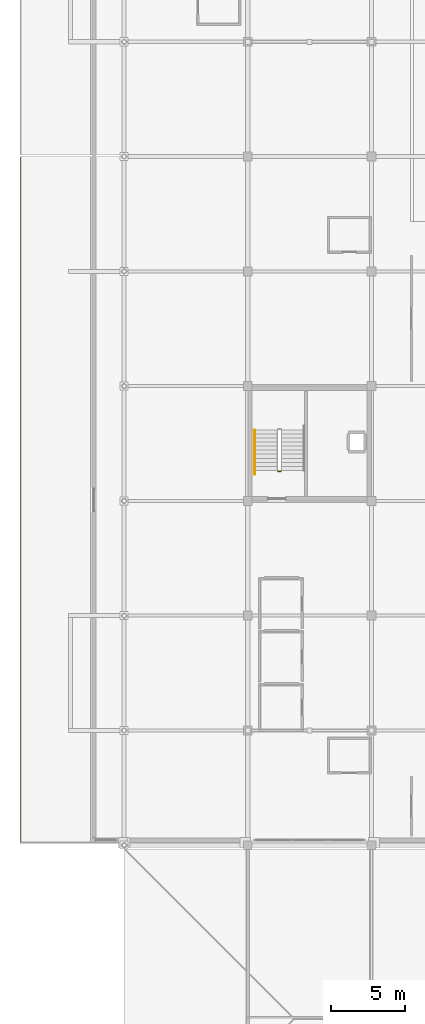
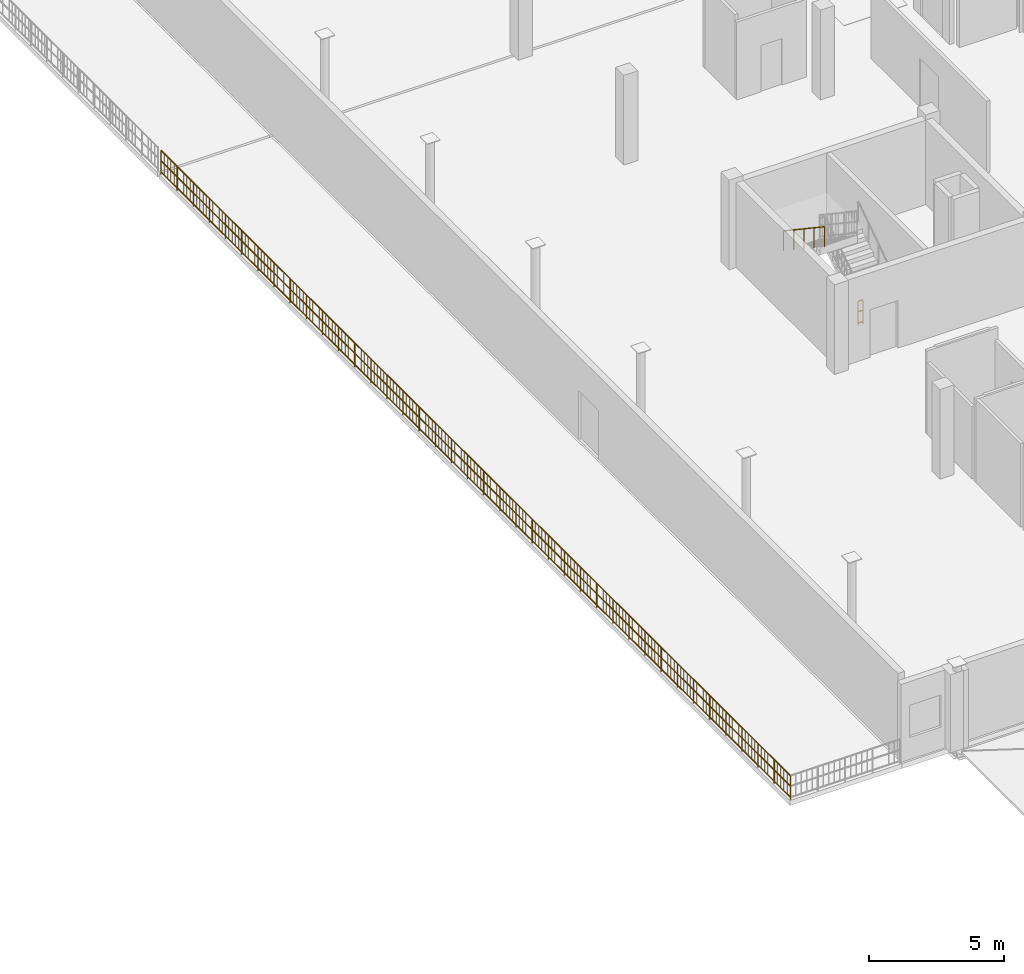
# One storey, part 20 of 25: 3 railings.
"""IFC4 building model written with IfcOpenShell, lengths in metres."""

from ifc_helpers import new_model, si_unit, direction, frame, origin, origin_2d, place, context, subcontext, project, spatial, circle, extrude, material, layer, layer_set, type_object, element, save


model = new_model("IFC4")

# Units and contexts
model_context = context("Model", 3, precision=1e-05, world=origin(), true_north=direction((0.0, 1.0)))
body_context = subcontext(model_context, "Body", "Model", "MODEL_VIEW")
ifc_project = project(units=[si_unit("LENGTHUNIT", "METRE"), si_unit("AREAUNIT", "SQUARE_METRE"), si_unit("VOLUMEUNIT", "CUBIC_METRE"), si_unit("PLANEANGLEUNIT", "RADIAN"), si_unit("MASSUNIT", "GRAM", prefix="KILO")], contexts=[model_context])

# Site, building, storey
site_placement = place(None, origin())
site = spatial("IfcSite", under=ifc_project, at=site_placement, CompositionType="ELEMENT")
building_placement = place(site_placement, origin())
building = spatial("IfcBuilding", under=site, at=building_placement, Name="Nabrawat Pavilion Hospital", CompositionType="ELEMENT")
storey_placement = place(building_placement, frame((0.0, 0.0, 22.949951171875)))
storey = spatial("IfcBuildingStorey", under=building, at=storey_placement, Name="L05", CompositionType="ELEMENT", Elevation=22.949951171875)

# Railings
ifc_material = material(Name="Stainless Steel 316", Category="steel")
ifc_layer_1 = layer(ifc_material, 0.070068359375, Name="Stainless Steel 316")
ifc_layer_set_1 = layer_set([ifc_layer_1], Name="Stainless Steel 316")
railing_type_1 = type_object("IfcRailingType", Name="Exterior Clinical Terrace Safety Guardrail 1100", PredefinedType="GUARDRAIL", material=ifc_layer_set_1)
railing_1_placement = place(storey_placement, frame((135.780029296875, 39.179931640625, 0.0)))
element("IfcRailing", 1, at=railing_1_placement, inside=storey, type_object=railing_type_1, Name="L05 Terrace Edge Safety Guardrail T_L05_WARD_WEST_S West", PredefinedType="GUARDRAIL", context=body_context, shape_type="SweptSolid", body=[
    extrude(circle(Radius=0.02392578125, at=origin_2d()), frame((0.0, 0.0, 1.076171875), z_axis=(0.0, 1.0, 0.0), x_axis=(-1.0, 0.0, 0.0)), (0.0, 0.0, 1.0), 46.56005859375),
    extrude(circle(Radius=0.02392578125, at=origin_2d()), frame((0.0, 0.0, 0.10009765625), z_axis=(0.0, 1.0, 0.0), x_axis=(-1.0, 0.0, 0.0)), (0.0, 0.0, 1.0), 46.56005859375),
    extrude(circle(Radius=0.02392578125, at=origin_2d()), frame((0.0, 0.0, 0.60498046875), z_axis=(0.0, 1.0, 0.0), x_axis=(-1.0, 0.0, 0.0)), (0.0, 0.0, 1.0), 46.56005859375),
    extrude(circle(Radius=0.008056640625, at=origin_2d()), frame((0.0, 0.23876953125, 0.10009765625)), (0.0, 0.0, 1.0), 0.951904296875),
    extrude(circle(Radius=0.008056640625, at=origin_2d()), frame((0.0, 0.4775390625, 0.10009765625)), (0.0, 0.0, 1.0), 0.951904296875),
    extrude(circle(Radius=0.008056640625, at=origin_2d()), frame((0.0, 0.71630859375, 0.10009765625)), (0.0, 0.0, 1.0), 0.951904296875),
    extrude(circle(Radius=0.008056640625, at=origin_2d()), frame((0.0, 0.955078125, 0.10009765625)), (0.0, 0.0, 1.0), 0.951904296875),
    extrude(circle(Radius=0.008056640625, at=origin_2d()), frame((0.0, 1.4326171875, 0.10009765625)), (0.0, 0.0, 1.0), 0.951904296875),
    extrude(circle(Radius=0.008056640625, at=origin_2d()), frame((0.0, 1.67138671875, 0.10009765625)), (0.0, 0.0, 1.0), 0.951904296875),
    extrude(circle(Radius=0.008056640625, at=origin_2d()), frame((0.0, 1.91015625, 0.10009765625)), (0.0, 0.0, 1.0), 0.951904296875),
    extrude(circle(Radius=0.008056640625, at=origin_2d()), frame((0.0, 2.14892578125, 0.10009765625)), (0.0, 0.0, 1.0), 0.951904296875),
    extrude(circle(Radius=0.008056640625, at=origin_2d()), frame((0.0, 2.62646484375, 0.10009765625)), (0.0, 0.0, 1.0), 0.951904296875),
    extrude(circle(Radius=0.008056640625, at=origin_2d()), frame((0.0, 2.865234375, 0.10009765625)), (0.0, 0.0, 1.0), 0.951904296875),
    extrude(circle(Radius=0.008056640625, at=origin_2d()), frame((0.0, 3.10400390625, 0.10009765625)), (0.0, 0.0, 1.0), 0.951904296875),
    extrude(circle(Radius=0.008056640625, at=origin_2d()), frame((0.0, 3.3427734375, 0.10009765625)), (0.0, 0.0, 1.0), 0.951904296875),
    extrude(circle(Radius=0.008056640625, at=origin_2d()), frame((0.0, 3.8203125, 0.10009765625)), (0.0, 0.0, 1.0), 0.951904296875),
    extrude(circle(Radius=0.008056640625, at=origin_2d()), frame((0.0, 4.05908203125, 0.10009765625)), (0.0, 0.0, 1.0), 0.951904296875),
    extrude(circle(Radius=0.008056640625, at=origin_2d()), frame((0.0, 4.2978515625, 0.10009765625)), (0.0, 0.0, 1.0), 0.951904296875),
    extrude(circle(Radius=0.008056640625, at=origin_2d()), frame((0.0, 4.53662109375, 0.10009765625)), (0.0, 0.0, 1.0), 0.951904296875),
    extrude(circle(Radius=0.008056640625, at=origin_2d()), frame((0.0, 5.01416015625, 0.10009765625)), (0.0, 0.0, 1.0), 0.951904296875),
    extrude(circle(Radius=0.008056640625, at=origin_2d()), frame((0.0, 5.2529296875, 0.10009765625)), (0.0, 0.0, 1.0), 0.951904296875),
    extrude(circle(Radius=0.008056640625, at=origin_2d()), frame((0.0, 5.49169921875, 0.10009765625)), (0.0, 0.0, 1.0), 0.951904296875),
    extrude(circle(Radius=0.008056640625, at=origin_2d()), frame((0.0, 5.73046875, 0.10009765625)), (0.0, 0.0, 1.0), 0.951904296875),
    extrude(circle(Radius=0.008056640625, at=origin_2d()), frame((0.0, 6.2080078125, 0.10009765625)), (0.0, 0.0, 1.0), 0.951904296875),
    extrude(circle(Radius=0.008056640625, at=origin_2d()), frame((0.0, 6.44677734375, 0.10009765625)), (0.0, 0.0, 1.0), 0.951904296875),
    extrude(circle(Radius=0.008056640625, at=origin_2d()), frame((0.0, 6.685546875, 0.10009765625)), (0.0, 0.0, 1.0), 0.951904296875),
    extrude(circle(Radius=0.008056640625, at=origin_2d()), frame((0.0, 6.92431640625, 0.10009765625)), (0.0, 0.0, 1.0), 0.951904296875),
    extrude(circle(Radius=0.008056640625, at=origin_2d()), frame((0.0, 7.40185546875, 0.10009765625)), (0.0, 0.0, 1.0), 0.951904296875),
    extrude(circle(Radius=0.008056640625, at=origin_2d()), frame((0.0, 7.640625, 0.10009765625)), (0.0, 0.0, 1.0), 0.951904296875),
    extrude(circle(Radius=0.008056640625, at=origin_2d()), frame((0.0, 7.87939453125, 0.10009765625)), (0.0, 0.0, 1.0), 0.951904296875),
    extrude(circle(Radius=0.008056640625, at=origin_2d()), frame((0.0, 8.1181640625, 0.10009765625)), (0.0, 0.0, 1.0), 0.951904296875),
    extrude(circle(Radius=0.008056640625, at=origin_2d()), frame((0.0, 8.595703125, 0.10009765625)), (0.0, 0.0, 1.0), 0.951904296875),
    extrude(circle(Radius=0.008056640625, at=origin_2d()), frame((0.0, 8.83447265625, 0.10009765625)), (0.0, 0.0, 1.0), 0.951904296875),
    extrude(circle(Radius=0.008056640625, at=origin_2d()), frame((0.0, 9.0732421875, 0.10009765625)), (0.0, 0.0, 1.0), 0.951904296875),
    extrude(circle(Radius=0.008056640625, at=origin_2d()), frame((0.0, 9.31201171875, 0.10009765625)), (0.0, 0.0, 1.0), 0.951904296875),
    extrude(circle(Radius=0.008056640625, at=origin_2d()), frame((0.0, 9.78955078125, 0.10009765625)), (0.0, 0.0, 1.0), 0.951904296875),
    extrude(circle(Radius=0.008056640625, at=origin_2d()), frame((0.0, 10.0283203125, 0.10009765625)), (0.0, 0.0, 1.0), 0.951904296875),
    extrude(circle(Radius=0.008056640625, at=origin_2d()), frame((0.0, 10.26708984375, 0.10009765625)), (0.0, 0.0, 1.0), 0.951904296875),
    extrude(circle(Radius=0.008056640625, at=origin_2d()), frame((0.0, 10.505859375, 0.10009765625)), (0.0, 0.0, 1.0), 0.951904296875),
    extrude(circle(Radius=0.008056640625, at=origin_2d()), frame((0.0, 10.9833984375, 0.10009765625)), (0.0, 0.0, 1.0), 0.951904296875),
    extrude(circle(Radius=0.008056640625, at=origin_2d()), frame((0.0, 11.22216796875, 0.10009765625)), (0.0, 0.0, 1.0), 0.951904296875),
    extrude(circle(Radius=0.008056640625, at=origin_2d()), frame((0.0, 11.4609375, 0.10009765625)), (0.0, 0.0, 1.0), 0.951904296875),
    extrude(circle(Radius=0.008056640625, at=origin_2d()), frame((0.0, 11.69970703125, 0.10009765625)), (0.0, 0.0, 1.0), 0.951904296875),
    extrude(circle(Radius=0.008056640625, at=origin_2d()), frame((0.0, 12.17724609375, 0.10009765625)), (0.0, 0.0, 1.0), 0.951904296875),
    extrude(circle(Radius=0.008056640625, at=origin_2d()), frame((0.0, 12.416015625, 0.10009765625)), (0.0, 0.0, 1.0), 0.951904296875),
    extrude(circle(Radius=0.008056640625, at=origin_2d()), frame((0.0, 12.65478515625, 0.10009765625)), (0.0, 0.0, 1.0), 0.951904296875),
    extrude(circle(Radius=0.008056640625, at=origin_2d()), frame((0.0, 12.8935546875, 0.10009765625)), (0.0, 0.0, 1.0), 0.951904296875),
    extrude(circle(Radius=0.008056640625, at=origin_2d()), frame((0.0, 13.37109375, 0.10009765625)), (0.0, 0.0, 1.0), 0.951904296875),
    extrude(circle(Radius=0.008056640625, at=origin_2d()), frame((0.0, 13.60986328125, 0.10009765625)), (0.0, 0.0, 1.0), 0.951904296875),
    extrude(circle(Radius=0.008056640625, at=origin_2d()), frame((0.0, 13.8486328125, 0.10009765625)), (0.0, 0.0, 1.0), 0.951904296875),
    extrude(circle(Radius=0.008056640625, at=origin_2d()), frame((0.0, 14.08740234375, 0.10009765625)), (0.0, 0.0, 1.0), 0.951904296875),
    extrude(circle(Radius=0.008056640625, at=origin_2d()), frame((0.0, 14.56494140625, 0.10009765625)), (0.0, 0.0, 1.0), 0.951904296875),
    extrude(circle(Radius=0.008056640625, at=origin_2d()), frame((0.0, 14.8037109375, 0.10009765625)), (0.0, 0.0, 1.0), 0.951904296875),
    extrude(circle(Radius=0.008056640625, at=origin_2d()), frame((0.0, 15.04248046875, 0.10009765625)), (0.0, 0.0, 1.0), 0.951904296875),
    extrude(circle(Radius=0.008056640625, at=origin_2d()), frame((0.0, 15.28125, 0.10009765625)), (0.0, 0.0, 1.0), 0.951904296875),
    extrude(circle(Radius=0.008056640625, at=origin_2d()), frame((0.0, 15.7587890625, 0.10009765625)), (0.0, 0.0, 1.0), 0.951904296875),
    extrude(circle(Radius=0.008056640625, at=origin_2d()), frame((0.0, 15.99755859375, 0.10009765625)), (0.0, 0.0, 1.0), 0.951904296875),
    extrude(circle(Radius=0.008056640625, at=origin_2d()), frame((0.0, 16.236328125, 0.10009765625)), (0.0, 0.0, 1.0), 0.951904296875),
    extrude(circle(Radius=0.008056640625, at=origin_2d()), frame((0.0, 16.47509765625, 0.10009765625)), (0.0, 0.0, 1.0), 0.951904296875),
    extrude(circle(Radius=0.008056640625, at=origin_2d()), frame((0.0, 16.95263671875, 0.10009765625)), (0.0, 0.0, 1.0), 0.951904296875),
    extrude(circle(Radius=0.008056640625, at=origin_2d()), frame((0.0, 17.19140625, 0.10009765625)), (0.0, 0.0, 1.0), 0.951904296875),
    extrude(circle(Radius=0.008056640625, at=origin_2d()), frame((0.0, 17.43017578125, 0.10009765625)), (0.0, 0.0, 1.0), 0.951904296875),
    extrude(circle(Radius=0.008056640625, at=origin_2d()), frame((0.0, 17.6689453125, 0.10009765625)), (0.0, 0.0, 1.0), 0.951904296875),
    extrude(circle(Radius=0.008056640625, at=origin_2d()), frame((0.0, 18.146484375, 0.10009765625)), (0.0, 0.0, 1.0), 0.951904296875),
    extrude(circle(Radius=0.008056640625, at=origin_2d()), frame((0.0, 18.38525390625, 0.10009765625)), (0.0, 0.0, 1.0), 0.951904296875),
    extrude(circle(Radius=0.008056640625, at=origin_2d()), frame((0.0, 18.6240234375, 0.10009765625)), (0.0, 0.0, 1.0), 0.951904296875),
    extrude(circle(Radius=0.008056640625, at=origin_2d()), frame((0.0, 18.86279296875, 0.10009765625)), (0.0, 0.0, 1.0), 0.951904296875),
    extrude(circle(Radius=0.008056640625, at=origin_2d()), frame((0.0, 19.34033203125, 0.10009765625)), (0.0, 0.0, 1.0), 0.951904296875),
    extrude(circle(Radius=0.008056640625, at=origin_2d()), frame((0.0, 19.5791015625, 0.10009765625)), (0.0, 0.0, 1.0), 0.951904296875),
    extrude(circle(Radius=0.008056640625, at=origin_2d()), frame((0.0, 19.81787109375, 0.10009765625)), (0.0, 0.0, 1.0), 0.951904296875),
    extrude(circle(Radius=0.008056640625, at=origin_2d()), frame((0.0, 20.056640625, 0.10009765625)), (0.0, 0.0, 1.0), 0.951904296875),
    extrude(circle(Radius=0.008056640625, at=origin_2d()), frame((0.0, 20.5341796875, 0.10009765625)), (0.0, 0.0, 1.0), 0.951904296875),
    extrude(circle(Radius=0.008056640625, at=origin_2d()), frame((0.0, 20.77294921875, 0.10009765625)), (0.0, 0.0, 1.0), 0.951904296875),
    extrude(circle(Radius=0.008056640625, at=origin_2d()), frame((0.0, 21.01171875, 0.10009765625)), (0.0, 0.0, 1.0), 0.951904296875),
    extrude(circle(Radius=0.008056640625, at=origin_2d()), frame((0.0, 21.25048828125, 0.10009765625)), (0.0, 0.0, 1.0), 0.951904296875),
    extrude(circle(Radius=0.008056640625, at=origin_2d()), frame((0.0, 21.72802734375, 0.10009765625)), (0.0, 0.0, 1.0), 0.951904296875),
    extrude(circle(Radius=0.008056640625, at=origin_2d()), frame((0.0, 21.966796875, 0.10009765625)), (0.0, 0.0, 1.0), 0.951904296875),
    extrude(circle(Radius=0.008056640625, at=origin_2d()), frame((0.0, 22.20556640625, 0.10009765625)), (0.0, 0.0, 1.0), 0.951904296875),
    extrude(circle(Radius=0.008056640625, at=origin_2d()), frame((0.0, 22.4443359375, 0.10009765625)), (0.0, 0.0, 1.0), 0.951904296875),
    extrude(circle(Radius=0.008056640625, at=origin_2d()), frame((0.0, 22.921875, 0.10009765625)), (0.0, 0.0, 1.0), 0.951904296875),
    extrude(circle(Radius=0.008056640625, at=origin_2d()), frame((0.0, 23.16064453125, 0.10009765625)), (0.0, 0.0, 1.0), 0.951904296875),
    extrude(circle(Radius=0.008056640625, at=origin_2d()), frame((0.0, 23.3994140625, 0.10009765625)), (0.0, 0.0, 1.0), 0.951904296875),
    extrude(circle(Radius=0.008056640625, at=origin_2d()), frame((0.0, 23.63818359375, 0.10009765625)), (0.0, 0.0, 1.0), 0.951904296875),
    extrude(circle(Radius=0.008056640625, at=origin_2d()), frame((0.0, 24.11572265625, 0.10009765625)), (0.0, 0.0, 1.0), 0.951904296875),
    extrude(circle(Radius=0.008056640625, at=origin_2d()), frame((0.0, 24.3544921875, 0.10009765625)), (0.0, 0.0, 1.0), 0.951904296875),
    extrude(circle(Radius=0.008056640625, at=origin_2d()), frame((0.0, 24.59326171875, 0.10009765625)), (0.0, 0.0, 1.0), 0.951904296875),
    extrude(circle(Radius=0.008056640625, at=origin_2d()), frame((0.0, 24.83203125, 0.10009765625)), (0.0, 0.0, 1.0), 0.951904296875),
    extrude(circle(Radius=0.008056640625, at=origin_2d()), frame((0.0, 25.3095703125, 0.10009765625)), (0.0, 0.0, 1.0), 0.951904296875),
    extrude(circle(Radius=0.008056640625, at=origin_2d()), frame((0.0, 25.54833984375, 0.10009765625)), (0.0, 0.0, 1.0), 0.951904296875),
    extrude(circle(Radius=0.008056640625, at=origin_2d()), frame((0.0, 25.787109375, 0.10009765625)), (0.0, 0.0, 1.0), 0.951904296875),
    extrude(circle(Radius=0.008056640625, at=origin_2d()), frame((0.0, 26.02587890625, 0.10009765625)), (0.0, 0.0, 1.0), 0.951904296875),
    extrude(circle(Radius=0.008056640625, at=origin_2d()), frame((0.0, 26.50341796875, 0.10009765625)), (0.0, 0.0, 1.0), 0.951904296875),
    extrude(circle(Radius=0.008056640625, at=origin_2d()), frame((0.0, 26.7421875, 0.10009765625)), (0.0, 0.0, 1.0), 0.951904296875),
    extrude(circle(Radius=0.008056640625, at=origin_2d()), frame((0.0, 26.98095703125, 0.10009765625)), (0.0, 0.0, 1.0), 0.951904296875),
    extrude(circle(Radius=0.008056640625, at=origin_2d()), frame((0.0, 27.2197265625, 0.10009765625)), (0.0, 0.0, 1.0), 0.951904296875),
    extrude(circle(Radius=0.008056640625, at=origin_2d()), frame((0.0, 27.697265625, 0.10009765625)), (0.0, 0.0, 1.0), 0.951904296875),
    extrude(circle(Radius=0.008056640625, at=origin_2d()), frame((0.0, 27.93603515625, 0.10009765625)), (0.0, 0.0, 1.0), 0.951904296875),
    extrude(circle(Radius=0.008056640625, at=origin_2d()), frame((0.0, 28.1748046875, 0.10009765625)), (0.0, 0.0, 1.0), 0.951904296875),
    extrude(circle(Radius=0.008056640625, at=origin_2d()), frame((0.0, 28.41357421875, 0.10009765625)), (0.0, 0.0, 1.0), 0.951904296875),
    extrude(circle(Radius=0.008056640625, at=origin_2d()), frame((0.0, 28.89111328125, 0.10009765625)), (0.0, 0.0, 1.0), 0.951904296875),
    extrude(circle(Radius=0.008056640625, at=origin_2d()), frame((0.0, 29.1298828125, 0.10009765625)), (0.0, 0.0, 1.0), 0.951904296875),
    extrude(circle(Radius=0.008056640625, at=origin_2d()), frame((0.0, 29.36865234375, 0.10009765625)), (0.0, 0.0, 1.0), 0.951904296875),
    extrude(circle(Radius=0.008056640625, at=origin_2d()), frame((0.0, 29.607421875, 0.10009765625)), (0.0, 0.0, 1.0), 0.951904296875),
    extrude(circle(Radius=0.008056640625, at=origin_2d()), frame((0.0, 30.0849609375, 0.10009765625)), (0.0, 0.0, 1.0), 0.951904296875),
    extrude(circle(Radius=0.008056640625, at=origin_2d()), frame((0.0, 30.32373046875, 0.10009765625)), (0.0, 0.0, 1.0), 0.951904296875),
    extrude(circle(Radius=0.008056640625, at=origin_2d()), frame((0.0, 30.5625, 0.10009765625)), (0.0, 0.0, 1.0), 0.951904296875),
    extrude(circle(Radius=0.008056640625, at=origin_2d()), frame((0.0, 30.80126953125, 0.10009765625)), (0.0, 0.0, 1.0), 0.951904296875),
    extrude(circle(Radius=0.008056640625, at=origin_2d()), frame((0.0, 31.27880859375, 0.10009765625)), (0.0, 0.0, 1.0), 0.951904296875),
    extrude(circle(Radius=0.008056640625, at=origin_2d()), frame((0.0, 31.517578125, 0.10009765625)), (0.0, 0.0, 1.0), 0.951904296875),
    extrude(circle(Radius=0.008056640625, at=origin_2d()), frame((0.0, 31.75634765625, 0.10009765625)), (0.0, 0.0, 1.0), 0.951904296875),
    extrude(circle(Radius=0.008056640625, at=origin_2d()), frame((0.0, 31.9951171875, 0.10009765625)), (0.0, 0.0, 1.0), 0.951904296875),
    extrude(circle(Radius=0.008056640625, at=origin_2d()), frame((0.0, 32.47265625, 0.10009765625)), (0.0, 0.0, 1.0), 0.951904296875),
    extrude(circle(Radius=0.008056640625, at=origin_2d()), frame((0.0, 32.71142578125, 0.10009765625)), (0.0, 0.0, 1.0), 0.951904296875),
    extrude(circle(Radius=0.008056640625, at=origin_2d()), frame((0.0, 32.9501953125, 0.10009765625)), (0.0, 0.0, 1.0), 0.951904296875),
    extrude(circle(Radius=0.008056640625, at=origin_2d()), frame((0.0, 33.18896484375, 0.10009765625)), (0.0, 0.0, 1.0), 0.951904296875),
    extrude(circle(Radius=0.008056640625, at=origin_2d()), frame((0.0, 33.66650390625, 0.10009765625)), (0.0, 0.0, 1.0), 0.951904296875),
    extrude(circle(Radius=0.008056640625, at=origin_2d()), frame((0.0, 33.9052734375, 0.10009765625)), (0.0, 0.0, 1.0), 0.951904296875),
    extrude(circle(Radius=0.008056640625, at=origin_2d()), frame((0.0, 34.14404296875, 0.10009765625)), (0.0, 0.0, 1.0), 0.951904296875),
    extrude(circle(Radius=0.008056640625, at=origin_2d()), frame((0.0, 34.3828125, 0.10009765625)), (0.0, 0.0, 1.0), 0.951904296875),
    extrude(circle(Radius=0.008056640625, at=origin_2d()), frame((0.0, 34.8603515625, 0.10009765625)), (0.0, 0.0, 1.0), 0.951904296875),
    extrude(circle(Radius=0.008056640625, at=origin_2d()), frame((0.0, 35.09912109375, 0.10009765625)), (0.0, 0.0, 1.0), 0.951904296875),
    extrude(circle(Radius=0.008056640625, at=origin_2d()), frame((0.0, 35.337890625, 0.10009765625)), (0.0, 0.0, 1.0), 0.951904296875),
    extrude(circle(Radius=0.008056640625, at=origin_2d()), frame((0.0, 35.57666015625, 0.10009765625)), (0.0, 0.0, 1.0), 0.951904296875),
    extrude(circle(Radius=0.008056640625, at=origin_2d()), frame((0.0, 36.05419921875, 0.10009765625)), (0.0, 0.0, 1.0), 0.951904296875),
    extrude(circle(Radius=0.008056640625, at=origin_2d()), frame((0.0, 36.29296875, 0.10009765625)), (0.0, 0.0, 1.0), 0.951904296875),
    extrude(circle(Radius=0.008056640625, at=origin_2d()), frame((0.0, 36.53173828125, 0.10009765625)), (0.0, 0.0, 1.0), 0.951904296875),
    extrude(circle(Radius=0.008056640625, at=origin_2d()), frame((0.0, 36.7705078125, 0.10009765625)), (0.0, 0.0, 1.0), 0.951904296875),
    extrude(circle(Radius=0.008056640625, at=origin_2d()), frame((0.0, 37.248046875, 0.10009765625)), (0.0, 0.0, 1.0), 0.951904296875),
    extrude(circle(Radius=0.008056640625, at=origin_2d()), frame((0.0, 37.48681640625, 0.10009765625)), (0.0, 0.0, 1.0), 0.951904296875),
    extrude(circle(Radius=0.008056640625, at=origin_2d()), frame((0.0, 37.7255859375, 0.10009765625)), (0.0, 0.0, 1.0), 0.951904296875),
    extrude(circle(Radius=0.008056640625, at=origin_2d()), frame((0.0, 37.96435546875, 0.10009765625)), (0.0, 0.0, 1.0), 0.951904296875),
    extrude(circle(Radius=0.008056640625, at=origin_2d()), frame((0.0, 38.44189453125, 0.10009765625)), (0.0, 0.0, 1.0), 0.951904296875),
    extrude(circle(Radius=0.008056640625, at=origin_2d()), frame((0.0, 38.6806640625, 0.10009765625)), (0.0, 0.0, 1.0), 0.951904296875),
    extrude(circle(Radius=0.008056640625, at=origin_2d()), frame((0.0, 38.91943359375, 0.10009765625)), (0.0, 0.0, 1.0), 0.951904296875),
    extrude(circle(Radius=0.008056640625, at=origin_2d()), frame((0.0, 39.158203125, 0.10009765625)), (0.0, 0.0, 1.0), 0.951904296875),
    extrude(circle(Radius=0.008056640625, at=origin_2d()), frame((0.0, 39.6357421875, 0.10009765625)), (0.0, 0.0, 1.0), 0.951904296875),
    extrude(circle(Radius=0.008056640625, at=origin_2d()), frame((0.0, 39.87451171875, 0.10009765625)), (0.0, 0.0, 1.0), 0.951904296875),
    extrude(circle(Radius=0.008056640625, at=origin_2d()), frame((0.0, 40.11328125, 0.10009765625)), (0.0, 0.0, 1.0), 0.951904296875),
    extrude(circle(Radius=0.008056640625, at=origin_2d()), frame((0.0, 40.35205078125, 0.10009765625)), (0.0, 0.0, 1.0), 0.951904296875),
    extrude(circle(Radius=0.008056640625, at=origin_2d()), frame((0.0, 40.82958984375, 0.10009765625)), (0.0, 0.0, 1.0), 0.951904296875),
    extrude(circle(Radius=0.008056640625, at=origin_2d()), frame((0.0, 41.068359375, 0.10009765625)), (0.0, 0.0, 1.0), 0.951904296875),
    extrude(circle(Radius=0.008056640625, at=origin_2d()), frame((0.0, 41.30712890625, 0.10009765625)), (0.0, 0.0, 1.0), 0.951904296875),
    extrude(circle(Radius=0.008056640625, at=origin_2d()), frame((0.0, 41.5458984375, 0.10009765625)), (0.0, 0.0, 1.0), 0.951904296875),
    extrude(circle(Radius=0.008056640625, at=origin_2d()), frame((0.0, 42.0234375, 0.10009765625)), (0.0, 0.0, 1.0), 0.951904296875),
    extrude(circle(Radius=0.008056640625, at=origin_2d()), frame((0.0, 42.26220703125, 0.10009765625)), (0.0, 0.0, 1.0), 0.951904296875),
    extrude(circle(Radius=0.008056640625, at=origin_2d()), frame((0.0, 42.5009765625, 0.10009765625)), (0.0, 0.0, 1.0), 0.951904296875),
    extrude(circle(Radius=0.008056640625, at=origin_2d()), frame((0.0, 42.73974609375, 0.10009765625)), (0.0, 0.0, 1.0), 0.951904296875),
    extrude(circle(Radius=0.008056640625, at=origin_2d()), frame((0.0, 43.21728515625, 0.10009765625)), (0.0, 0.0, 1.0), 0.951904296875),
    extrude(circle(Radius=0.008056640625, at=origin_2d()), frame((0.0, 43.4560546875, 0.10009765625)), (0.0, 0.0, 1.0), 0.951904296875),
    extrude(circle(Radius=0.008056640625, at=origin_2d()), frame((0.0, 43.69482421875, 0.10009765625)), (0.0, 0.0, 1.0), 0.951904296875),
    extrude(circle(Radius=0.008056640625, at=origin_2d()), frame((0.0, 43.93359375, 0.10009765625)), (0.0, 0.0, 1.0), 0.951904296875),
    extrude(circle(Radius=0.008056640625, at=origin_2d()), frame((0.0, 44.4111328125, 0.10009765625)), (0.0, 0.0, 1.0), 0.951904296875),
    extrude(circle(Radius=0.008056640625, at=origin_2d()), frame((0.0, 44.64990234375, 0.10009765625)), (0.0, 0.0, 1.0), 0.951904296875),
    extrude(circle(Radius=0.008056640625, at=origin_2d()), frame((0.0, 44.888671875, 0.10009765625)), (0.0, 0.0, 1.0), 0.951904296875),
    extrude(circle(Radius=0.008056640625, at=origin_2d()), frame((0.0, 45.12744140625, 0.10009765625)), (0.0, 0.0, 1.0), 0.951904296875),
    extrude(circle(Radius=0.008056640625, at=origin_2d()), frame((0.0, 45.60498046875, 0.10009765625)), (0.0, 0.0, 1.0), 0.951904296875),
    extrude(circle(Radius=0.008056640625, at=origin_2d()), frame((0.0, 45.84375, 0.10009765625)), (0.0, 0.0, 1.0), 0.951904296875),
    extrude(circle(Radius=0.008056640625, at=origin_2d()), frame((0.0, 46.08251953125, 0.10009765625)), (0.0, 0.0, 1.0), 0.951904296875),
    extrude(circle(Radius=0.008056640625, at=origin_2d()), frame((0.0, 46.3212890625, 0.10009765625)), (0.0, 0.0, 1.0), 0.951904296875),
    extrude(circle(Radius=0.02099609375, at=origin_2d()), origin(), (0.0, 0.0, 1.0), 1.052001953125),
    extrude(circle(Radius=0.02099609375, at=origin_2d()), frame((0.0, 1.19384765625, 0.0)), (0.0, 0.0, 1.0), 1.052001953125),
    extrude(circle(Radius=0.02099609375, at=origin_2d()), frame((0.0, 2.3876953125, 0.0)), (0.0, 0.0, 1.0), 1.052001953125),
    extrude(circle(Radius=0.02099609375, at=origin_2d()), frame((0.0, 3.58154296875, 0.0)), (0.0, 0.0, 1.0), 1.052001953125),
    extrude(circle(Radius=0.02099609375, at=origin_2d()), frame((0.0, 4.775390625, 0.0)), (0.0, 0.0, 1.0), 1.052001953125),
    extrude(circle(Radius=0.02099609375, at=origin_2d()), frame((0.0, 5.96923828125, 0.0)), (0.0, 0.0, 1.0), 1.052001953125),
    extrude(circle(Radius=0.02099609375, at=origin_2d()), frame((0.0, 7.1630859375, 0.0)), (0.0, 0.0, 1.0), 1.052001953125),
    extrude(circle(Radius=0.02099609375, at=origin_2d()), frame((0.0, 8.35693359375, 0.0)), (0.0, 0.0, 1.0), 1.052001953125),
    extrude(circle(Radius=0.02099609375, at=origin_2d()), frame((0.0, 9.55078125, 0.0)), (0.0, 0.0, 1.0), 1.052001953125),
    extrude(circle(Radius=0.02099609375, at=origin_2d()), frame((0.0, 10.74462890625, 0.0)), (0.0, 0.0, 1.0), 1.052001953125),
    extrude(circle(Radius=0.02099609375, at=origin_2d()), frame((0.0, 11.9384765625, 0.0)), (0.0, 0.0, 1.0), 1.052001953125),
    extrude(circle(Radius=0.02099609375, at=origin_2d()), frame((0.0, 13.13232421875, 0.0)), (0.0, 0.0, 1.0), 1.052001953125),
    extrude(circle(Radius=0.02099609375, at=origin_2d()), frame((0.0, 14.326171875, 0.0)), (0.0, 0.0, 1.0), 1.052001953125),
    extrude(circle(Radius=0.02099609375, at=origin_2d()), frame((0.0, 15.52001953125, 0.0)), (0.0, 0.0, 1.0), 1.052001953125),
    extrude(circle(Radius=0.02099609375, at=origin_2d()), frame((0.0, 16.7138671875, 0.0)), (0.0, 0.0, 1.0), 1.052001953125),
    extrude(circle(Radius=0.02099609375, at=origin_2d()), frame((0.0, 17.90771484375, 0.0)), (0.0, 0.0, 1.0), 1.052001953125),
    extrude(circle(Radius=0.02099609375, at=origin_2d()), frame((0.0, 19.1015625, 0.0)), (0.0, 0.0, 1.0), 1.052001953125),
    extrude(circle(Radius=0.02099609375, at=origin_2d()), frame((0.0, 20.29541015625, 0.0)), (0.0, 0.0, 1.0), 1.052001953125),
    extrude(circle(Radius=0.02099609375, at=origin_2d()), frame((0.0, 21.4892578125, 0.0)), (0.0, 0.0, 1.0), 1.052001953125),
    extrude(circle(Radius=0.02099609375, at=origin_2d()), frame((0.0, 22.68310546875, 0.0)), (0.0, 0.0, 1.0), 1.052001953125),
    extrude(circle(Radius=0.02099609375, at=origin_2d()), frame((0.0, 23.876953125, 0.0)), (0.0, 0.0, 1.0), 1.052001953125),
    extrude(circle(Radius=0.02099609375, at=origin_2d()), frame((0.0, 25.07080078125, 0.0)), (0.0, 0.0, 1.0), 1.052001953125),
    extrude(circle(Radius=0.02099609375, at=origin_2d()), frame((0.0, 26.2646484375, 0.0)), (0.0, 0.0, 1.0), 1.052001953125),
    extrude(circle(Radius=0.02099609375, at=origin_2d()), frame((0.0, 27.45849609375, 0.0)), (0.0, 0.0, 1.0), 1.052001953125),
    extrude(circle(Radius=0.02099609375, at=origin_2d()), frame((0.0, 28.65234375, 0.0)), (0.0, 0.0, 1.0), 1.052001953125),
    extrude(circle(Radius=0.02099609375, at=origin_2d()), frame((0.0, 29.84619140625, 0.0)), (0.0, 0.0, 1.0), 1.052001953125),
    extrude(circle(Radius=0.02099609375, at=origin_2d()), frame((0.0, 31.0400390625, 0.0)), (0.0, 0.0, 1.0), 1.052001953125),
    extrude(circle(Radius=0.02099609375, at=origin_2d()), frame((0.0, 32.23388671875, 0.0)), (0.0, 0.0, 1.0), 1.052001953125),
    extrude(circle(Radius=0.02099609375, at=origin_2d()), frame((0.0, 33.427734375, 0.0)), (0.0, 0.0, 1.0), 1.052001953125),
    extrude(circle(Radius=0.02099609375, at=origin_2d()), frame((0.0, 34.62158203125, 0.0)), (0.0, 0.0, 1.0), 1.052001953125),
    extrude(circle(Radius=0.02099609375, at=origin_2d()), frame((0.0, 35.8154296875, 0.0)), (0.0, 0.0, 1.0), 1.052001953125),
    extrude(circle(Radius=0.02099609375, at=origin_2d()), frame((0.0, 37.00927734375, 0.0)), (0.0, 0.0, 1.0), 1.052001953125),
    extrude(circle(Radius=0.02099609375, at=origin_2d()), frame((0.0, 38.203125, 0.0)), (0.0, 0.0, 1.0), 1.052001953125),
    extrude(circle(Radius=0.02099609375, at=origin_2d()), frame((0.0, 39.39697265625, 0.0)), (0.0, 0.0, 1.0), 1.052001953125),
    extrude(circle(Radius=0.02099609375, at=origin_2d()), frame((0.0, 40.5908203125, 0.0)), (0.0, 0.0, 1.0), 1.052001953125),
    extrude(circle(Radius=0.02099609375, at=origin_2d()), frame((0.0, 41.78466796875, 0.0)), (0.0, 0.0, 1.0), 1.052001953125),
    extrude(circle(Radius=0.02099609375, at=origin_2d()), frame((0.0, 42.978515625, 0.0)), (0.0, 0.0, 1.0), 1.052001953125),
    extrude(circle(Radius=0.02099609375, at=origin_2d()), frame((0.0, 44.17236328125, 0.0)), (0.0, 0.0, 1.0), 1.052001953125),
    extrude(circle(Radius=0.02099609375, at=origin_2d()), frame((0.0, 45.3662109375, 0.0)), (0.0, 0.0, 1.0), 1.052001953125),
    extrude(circle(Radius=0.02099609375, at=origin_2d()), frame((0.0, 46.56005859375, 0.0)), (0.0, 0.0, 1.0), 1.052001953125),
])
ifc_layer_2 = layer(ifc_material, 0.050048828125, Name="Stainless Steel 316")
ifc_layer_set_2 = layer_set([ifc_layer_2], Name="Stainless Steel 316")
railing_type_2 = type_object("IfcRailingType", Name="Stair Open-Well Safety Guardrail 1100", PredefinedType="GUARDRAIL", material=ifc_layer_set_2)
railing_2_placement = place(storey_placement, frame((153.449951171875, 64.419921875, 0.0)))
element("IfcRailing", 2, at=railing_2_placement, inside=storey, type_object=railing_type_2, Name="L05 ST-09 stair guard 4", PredefinedType="GUARDRAIL", context=body_context, shape_type="SweptSolid", body=[
    extrude(circle(Radius=0.02392578125, at=origin_2d()), frame((0.0, 0.0, 1.076171875), z_axis=(-1.0, 0.0, 0.0), x_axis=(0.0, -1.0, 0.0)), (0.0, 0.0, 1.0), 0.199951171875),
    extrude(circle(Radius=0.02392578125, at=origin_2d()), frame((0.0, 0.0, 0.10009765625), z_axis=(-1.0, 0.0, 0.0), x_axis=(0.0, -1.0, 0.0)), (0.0, 0.0, 1.0), 0.199951171875),
    extrude(circle(Radius=0.02392578125, at=origin_2d()), frame((0.0, 0.0, 0.60498046875), z_axis=(-1.0, 0.0, 0.0), x_axis=(0.0, -1.0, 0.0)), (0.0, 0.0, 1.0), 0.199951171875),
    extrude(circle(Radius=0.008056640625, at=origin_2d()), frame((-0.10009765625, 0.0, 0.10009765625)), (0.0, 0.0, 1.0), 0.951904296875),
    extrude(circle(Radius=0.02099609375, at=origin_2d()), origin(), (0.0, 0.0, 1.0), 1.052001953125),
    extrude(circle(Radius=0.02099609375, at=origin_2d()), frame((-0.199951171875, 0.0, 0.0)), (0.0, 0.0, 1.0), 1.052001953125),
])
ifc_layer_3 = layer(ifc_material, 0.044921875, Name="Stainless Steel 316")
ifc_layer_set_3 = layer_set([ifc_layer_3], Name="Stainless Steel 316")
railing_type_3 = type_object("IfcRailingType", Name="Stair Pitch Continuous Handrail 920", PredefinedType="HANDRAIL", material=ifc_layer_set_3)
railing_3_placement = place(storey_placement, frame((151.675048828125, 67.219970703125, 2.213134765625)))
element("IfcRailing", 3, at=railing_3_placement, inside=storey, type_object=railing_type_3, Name="L05 ST-09 stair handrail 2", PredefinedType="HANDRAIL", context=body_context, shape_type="SweptSolid", body=[
    extrude(circle(Radius=0.02392578125, at=origin_2d()), frame((0.0, 0.0, 0.89599609375), z_axis=(0.0, -0.830965310578, 0.556324233353), x_axis=(1.0, 0.0, 0.0)), (0.0, 0.0, 1.0), 3.64013671875),
    extrude(circle(Radius=0.02099609375, at=origin_2d()), origin(), (0.0, 0.0, 1.0), 0.871826171875),
    extrude(circle(Radius=0.02099609375, at=origin_2d()), frame((0.0, -0.75634765625, 0.50634765625)), (0.0, 0.0, 1.0), 0.871826171875),
    extrude(circle(Radius=0.02099609375, at=origin_2d()), frame((0.0, -1.512451171875, 1.0126953125)), (0.0, 0.0, 1.0), 0.871826171875),
    extrude(circle(Radius=0.02099609375, at=origin_2d()), frame((0.0, -2.2685546875, 1.518798828125)), (0.0, 0.0, 1.0), 0.871826171875),
    extrude(circle(Radius=0.02099609375, at=origin_2d()), frame((0.0, -3.02490234375, 2.025146484375)), (0.0, 0.0, 1.0), 0.871826171875),
])

save(model, "model.ifc")
